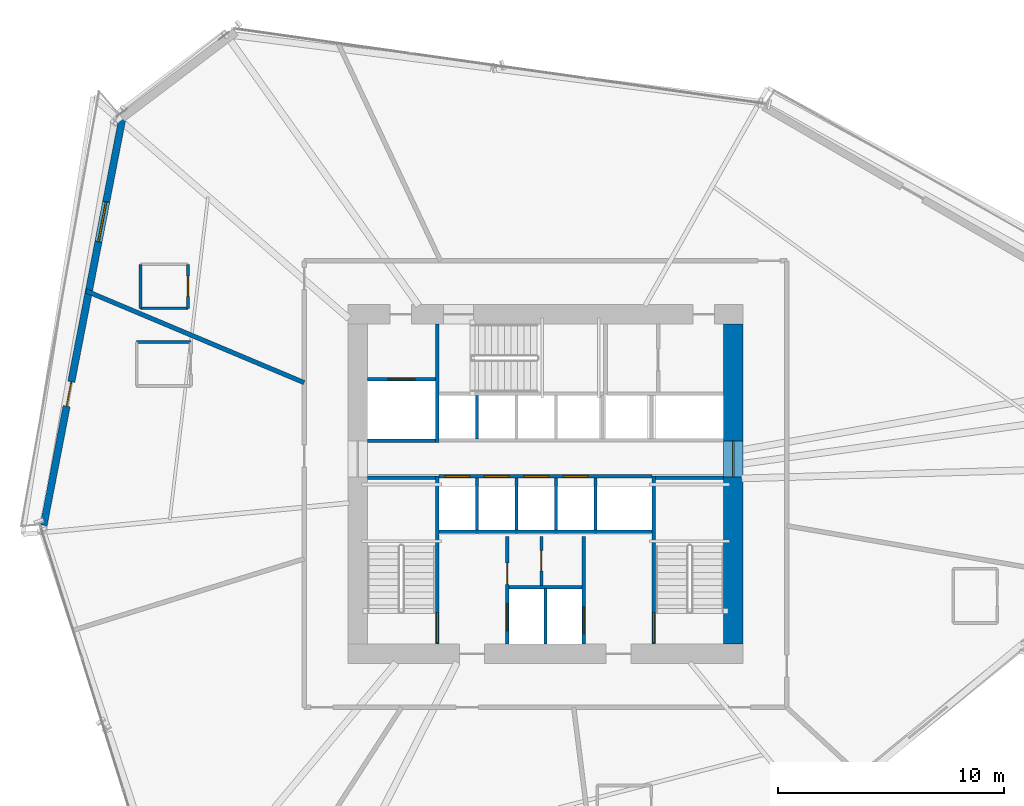
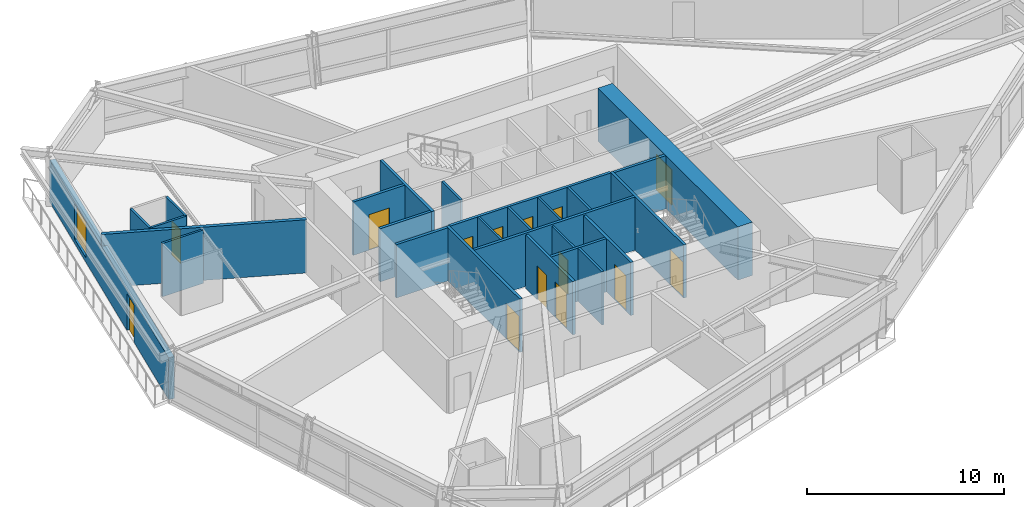
# One storey, part 16 of 21: 26 walls, 14 doors, 1 window, 15 openings.
"""IFC4 building model written with IfcOpenShell, lengths in metres."""

from ifc_helpers import new_model, si_unit, direction, frame, frame_2d, origin, place, context, subcontext, project, spatial, rectangle, extrude, source, transform, mapped, material, layer, layer_set, type_object, type_shapes, element, fill, save


model = new_model("IFC4")

# Units and contexts
model_context = context("Model", 3, precision=1e-05, world=origin(), true_north=direction((0.0, 1.0)))
body_context = subcontext(model_context, "Body", "Model", "MODEL_VIEW")
ifc_project = project(units=[si_unit("LENGTHUNIT", "METRE"), si_unit("AREAUNIT", "SQUARE_METRE"), si_unit("VOLUMEUNIT", "CUBIC_METRE"), si_unit("PLANEANGLEUNIT", "RADIAN"), si_unit("MASSUNIT", "GRAM", prefix="KILO")], contexts=[model_context])

# Site, building, storey
site_placement = place(None, origin())
site = spatial("IfcSite", under=ifc_project, at=site_placement, CompositionType="ELEMENT")
building_placement = place(site_placement, origin())
building = spatial("IfcBuilding", under=site, at=building_placement, Name="Olszyna Solenne Hotel", CompositionType="ELEMENT")
storey_placement = place(building_placement, frame((0.0, 0.0, 54.14990234375)))
storey = spatial("IfcBuildingStorey", under=building, at=storey_placement, Name="L13", CompositionType="ELEMENT", Elevation=54.14990234375)

# Wall, opening, door
ifc_material_1 = material(Name="Concrete C60/75", Category="concrete")
ifc_layer_1 = layer(ifc_material_1, 0.85009765625, Name="Concrete C60/75")
ifc_layer_set_1 = layer_set([ifc_layer_1], Name="Concrete C60/75")
wall_type_1 = type_object("IfcWallType", Name="WL-CR850", PredefinedType="SHEAR", material=ifc_layer_set_1)
wall_1_placement = place(storey_placement, frame((46.324951171875, 33.699951171875, 0.0), z_axis=(0.0, 0.0, 1.0), x_axis=(0.0, -1.0, 0.0)))
wall_1 = element("IfcWall", 1, at=wall_1_placement, inside=storey, type_object=wall_type_1, Name="Core shear wall WL-CR850 CRW-L13-E", PredefinedType="SHEAR", context=body_context, shape_type="SweptSolid", body=[
    extrude(rectangle(XDim=14.199951171875, YDim=0.85009765625, at=frame_2d((7.10009765625, 0.0))), origin(), (0.0, 0.0, 1.0), 3.300048828125),
])
opening_1_placement = place(wall_1_placement, frame((5.179931640625, 0.0, 0.0)))
opening_1 = element("IfcOpeningElement", 2, at=opening_1_placement, cuts=wall_1, Name="Opening LHD-L13-E", PredefinedType="OPENING", context=body_context, shape_type="SweptSolid", body=[
    extrude(rectangle(XDim=1.60009765625, YDim=2.199951171875, at=frame_2d((0.800048828125, 1.10009765625))), frame((0.0, 0.43505859375, 0.0), z_axis=(0.0, -1.0, 0.0), x_axis=(1.0, 0.0, 0.0)), (0.0, 0.0, 1.0), 0.8701171875),
])
ifc_material_2 = material(Name="Timber hardwood", Category="wood")
door_type_1 = type_object("IfcDoorType", Name="DR-CR1", OperationType="DOUBLE_DOOR_SINGLE_SWING", PredefinedType="DOOR", material=ifc_material_2)
shared_shape_1 = source(origin(), body_context, "Body", "SweptSolid", [
    extrude(rectangle(XDim=1.60009765625, YDim=2.199951171875, at=frame_2d((0.800048828125, 1.10009765625))), frame((0.0, 0.02490234375, 0.0), z_axis=(0.0, -1.0, 0.0), x_axis=(1.0, 0.0, 0.0)), (0.0, 0.0, 1.0), 0.050048828125),
])
type_shapes(door_type_1, [shared_shape_1])
door_1_placement = place(opening_1_placement, origin())
door_1 = element("IfcDoor", 3, at=door_1_placement, inside=storey, type_object=door_type_1, Name="Passenger lift lobby East fire door LHD-L13-E", OperationType="DOUBLE_DOOR_SINGLE_SWING", OverallHeight=2.199951171875, OverallWidth=1.60009765625, PredefinedType="DOOR", context=body_context, shape_type="MappedRepresentation", body=[
    mapped(shared_shape_1, transform((0.0, 0.0, 0.0), x_axis=(1.0, 0.0, 0.0), y_axis=(0.0, 1.0, 0.0), z_axis=(0.0, 0.0, 1.0), scale=1.0)),
])
fill(opening_1, door_1)

# Wall, openings, door, window
ifc_material_3 = material(Name="Precast concrete C45/55", Category="concrete")
ifc_layer_2 = layer(ifc_material_3, 0.320068359375, Name="Precast concrete C45/55")
ifc_layer_set_2 = layer_set([ifc_layer_2], Name="Precast concrete C45/55")
wall_type_2 = type_object("IfcWallType", Name="WL-EX320", PredefinedType="SOLIDWALL", material=ifc_layer_set_2)
wall_2_placement = place(storey_placement, frame((15.74951171875, 24.773193359375, 0.0), z_axis=(0.0, 0.0, 1.0), x_axis=(0.19010756161, 0.981763268318, 0.0)))
wall_2 = element("IfcWall", 4, at=wall_2_placement, inside=storey, type_object=wall_type_2, Name="Exterior terracotta-precast frame wall WL-EX320 EW-L13-04", PredefinedType="SOLIDWALL", context=body_context, shape_type="SweptSolid", body=[
    extrude(rectangle(XDim=18.5224609375, YDim=0.320068359375, at=frame_2d((9.26123046875, 0.0))), origin(), (0.0, 0.0, 1.0), 2.592041015625),
])
opening_2_placement = place(wall_2_placement, frame((5.376953125, 0.0, 0.0)))
opening_2 = element("IfcOpeningElement", 5, at=opening_2_placement, cuts=wall_2, Name="Opening LDG-L13-2", PredefinedType="OPENING", context=body_context, shape_type="SweptSolid", body=[
    extrude(rectangle(XDim=1.10009765625, YDim=2.300048828125, at=frame_2d((0.550048828125, 1.14990234375))), frame((0.0, 0.169921875, 0.0), z_axis=(0.0, -1.0, 0.0), x_axis=(1.0, 0.0, 0.0)), (0.0, 0.0, 1.0), 0.340087890625),
])
opening_3_placement = place(wall_2_placement, frame((12.806884765625, 0.0, 0.27197265625)))
opening_3 = element("IfcOpeningElement", 6, at=opening_3_placement, cuts=wall_2, Name="Opening WN-L13-058", PredefinedType="OPENING", context=body_context, shape_type="SweptSolid", body=[
    extrude(rectangle(XDim=1.800048828125, YDim=2.199951171875, at=frame_2d((0.89990234375, 1.10009765625))), frame((0.0, 0.169921875, 0.0), z_axis=(0.0, -1.0, 0.0), x_axis=(1.0, 0.0, 0.0)), (0.0, 0.0, 1.0), 0.340087890625),
])
ifc_material_4 = material(Name="Anodised bronze aluminium", Category="aluminium")
door_type_2 = type_object("IfcDoorType", Name="DR-LG1", OperationType="NOTDEFINED", PredefinedType="DOOR", material=ifc_material_4)
shared_shape_2 = source(origin(), body_context, "Body", "SweptSolid", [
    extrude(rectangle(XDim=1.10009765625, YDim=2.300048828125, at=frame_2d((0.550048828125, 1.14990234375))), frame((0.0, 0.02490234375, 0.0), z_axis=(0.0, -1.0, 0.0), x_axis=(1.0, 0.0, 0.0)), (0.0, 0.0, 1.0), 0.050048828125),
])
type_shapes(door_type_2, [shared_shape_2])
door_2_placement = place(opening_2_placement, origin())
door_2 = element("IfcDoor", 7, at=door_2_placement, inside=storey, type_object=door_type_2, Name="Exterior loggia balcony door DR-LG1 LDG-L13-2", OperationType="SINGLE_SWING_RIGHT", OverallHeight=2.300048828125, OverallWidth=1.10009765625, PredefinedType="DOOR", context=body_context, shape_type="MappedRepresentation", body=[
    mapped(shared_shape_2, transform((0.0, 0.0, 0.0), x_axis=(1.0, 0.0, 0.0), y_axis=(0.0, 1.0, 0.0), z_axis=(0.0, 0.0, 1.0), scale=1.0)),
])
fill(opening_2, door_2)
ifc_material_5 = material(Name="Low-E triple glazing", Category="glass")
window_type = type_object("IfcWindowType", Name="WN-HT1", PartitioningType="SINGLE_PANEL", PredefinedType="WINDOW", material=ifc_material_5)
shared_shape_3 = source(origin(), body_context, "Body", "SweptSolid", [
    extrude(rectangle(XDim=1.800048828125, YDim=2.199951171875, at=frame_2d((0.89990234375, 1.10009765625))), frame((0.0, 0.030029296875, 0.0), z_axis=(0.0, -1.0, 0.0), x_axis=(1.0, 0.0, 0.0)), (0.0, 0.0, 1.0), 0.06005859375),
])
type_shapes(window_type, [shared_shape_3])
window_placement = place(opening_3_placement, origin())
window = element("IfcWindow", 8, at=window_placement, inside=storey, type_object=window_type, Name="Loggia room window WN-HT1 WN-L13-058", OverallHeight=2.199951171875, OverallWidth=1.800048828125, PartitioningType="SINGLE_PANEL", PredefinedType="WINDOW", context=body_context, shape_type="MappedRepresentation", body=[
    mapped(shared_shape_3, transform((0.0, 0.0, 0.0), x_axis=(1.0, 0.0, 0.0), y_axis=(0.0, 1.0, 0.0), z_axis=(0.0, 0.0, 1.0), scale=1.0)),
])
fill(opening_3, window)

# Wall
ifc_material_6 = material(Name="Acoustic gypsum partition", Category="gypsum")
ifc_layer_3 = layer(ifc_material_6, 0.125, Name="Acoustic gypsum partition")
ifc_layer_set_3 = layer_set([ifc_layer_3], Name="Acoustic gypsum partition")
wall_type_3 = type_object("IfcWallType", Name="WL-PT125", PredefinedType="PARTITIONING", material=ifc_layer_set_3)
wall_3_placement = place(storey_placement, frame((38.0, 19.5, 0.0), z_axis=(0.0, 0.0, 1.0), x_axis=(0.0, 1.0, 0.0)))
element("IfcWall", 9, at=wall_3_placement, inside=storey, type_object=wall_type_3, Name="Core shaft compartment wall CW-L13-FFM", PredefinedType="PARTITIONING", context=body_context, shape_type="SweptSolid", body=[
    extrude(rectangle(XDim=2.4599609375, YDim=0.125, at=frame_2d((1.22998046875, 0.0))), origin(), (0.0, 0.0, 1.0), 3.300048828125),
])

# Wall, opening, door
wall_4_placement = place(storey_placement, frame((37.820068359375, 22.10009765625, 0.0), z_axis=(0.0, 0.0, 1.0), x_axis=(0.0, 1.0, 0.0)))
wall_4 = element("IfcWall", 10, at=wall_4_placement, inside=storey, type_object=wall_type_3, Name="Core shaft compartment wall CW-L13-SC1", PredefinedType="PARTITIONING", context=body_context, shape_type="SweptSolid", body=[
    extrude(rectangle(XDim=2.179931640625, YDim=0.125, at=frame_2d((1.08984375, 0.0))), origin(), (0.0, 0.0, 1.0), 3.300048828125),
])
opening_4_placement = place(wall_4_placement, frame((0.64990234375, 0.0, 0.0)))
opening_4 = element("IfcOpeningElement", 11, at=opening_4_placement, cuts=wall_4, Name="Opening SVD-L13-SC1", PredefinedType="OPENING", context=body_context, shape_type="SweptSolid", body=[
    extrude(rectangle(XDim=0.89990234375, YDim=2.10009765625, at=frame_2d((0.449951171875, 1.050048828125))), frame((0.0, 0.072509765625, 0.0), z_axis=(0.0, -1.0, 0.0), x_axis=(1.0, 0.0, 0.0)), (0.0, 0.0, 1.0), 0.14501953125),
])
door_type_3 = type_object("IfcDoorType", Name="DR-WC1", OperationType="NOTDEFINED", PredefinedType="DOOR", material=ifc_material_2)
shared_shape_4 = source(origin(), body_context, "Body", "SweptSolid", [
    extrude(rectangle(XDim=0.89990234375, YDim=2.10009765625, at=frame_2d((0.449951171875, 1.050048828125))), frame((0.0, 0.02490234375, 0.0), z_axis=(0.0, -1.0, 0.0), x_axis=(1.0, 0.0, 0.0)), (0.0, 0.0, 1.0), 0.050048828125),
])
type_shapes(door_type_3, [shared_shape_4])
door_3_placement = place(opening_4_placement, origin())
door_3 = element("IfcDoor", 12, at=door_3_placement, inside=storey, type_object=door_type_3, Name="Pantry locker door SVD-L13-SC1", OperationType="SINGLE_SWING_LEFT", OverallHeight=2.10009765625, OverallWidth=0.89990234375, PredefinedType="DOOR", context=body_context, shape_type="MappedRepresentation", body=[
    mapped(shared_shape_4, transform((0.0, 0.0, 0.0), x_axis=(1.0, 0.0, 0.0), y_axis=(0.0, 1.0, 0.0), z_axis=(0.0, 0.0, 1.0), scale=1.0)),
])
fill(opening_4, door_3)

# Walls
for number, where, z_axis, x_axis, name in (
    (13, (34.965087890625, 24.56005859375, 0.0), (0.0, 0.0, 1.0), (0.0, 1.0, 0.0), "Core shaft compartment wall CW-L13-DIVS349"),
    (14, (36.715087890625, 24.56005859375, 0.0), (0.0, 0.0, 1.0), (0.0, 1.0, 0.0), "Core shaft compartment wall CW-L13-DIVS367"),
    (15, (38.465087890625, 24.56005859375, 0.0), (0.0, 0.0, 1.0), (0.0, 1.0, 0.0), "Core shaft compartment wall CW-L13-DIVS384"),
    (16, (40.215087890625, 24.56005859375, 0.0), (0.0, 0.0, 1.0), (0.0, 1.0, 0.0), "Core shaft compartment wall CW-L13-DIVS402"),
):
    element("IfcWall", number, at=place(storey_placement, frame(where, z_axis=z_axis, x_axis=x_axis)), inside=storey, type_object=wall_type_3, Name=name, PredefinedType="PARTITIONING", context=body_context, shape_type="SweptSolid", body=[
        extrude(rectangle(XDim=2.31005859375, YDim=0.125, at=frame_2d((1.155029296875, 0.0))), origin(), (0.0, 0.0, 1.0), 3.300048828125),
    ])
wall_5_placement = place(storey_placement, frame((34.965087890625, 28.60009765625, 0.0), z_axis=(0.0, 0.0, 1.0), x_axis=(0.0, 1.0, 0.0)))
element("IfcWall", 17, at=wall_5_placement, inside=storey, type_object=wall_type_3, Name="Core shaft compartment wall CW-L13-DIVN349", PredefinedType="PARTITIONING", context=body_context, shape_type="SweptSolid", body=[
    extrude(rectangle(XDim=1.919921875, YDim=0.125, at=frame_2d((0.9599609375, 0.0))), origin(), (0.0, 0.0, 1.0), 3.300048828125),
])

# Wall, opening, door
wall_6_placement = place(storey_placement, frame((22.153076171875, 34.39306640625, 0.0), z_axis=(0.0, 0.0, 1.0), x_axis=(0.0, 1.0, 0.0)))
wall_6 = element("IfcWall", 18, at=wall_6_placement, inside=storey, type_object=wall_type_3, Name="Interior acoustic partition WL-PT125 PW-L13-0716", PredefinedType="PARTITIONING", context=body_context, shape_type="SweptSolid", body=[
    extrude(rectangle(XDim=1.949951171875, YDim=0.125, at=frame_2d((0.97509765625, 0.0))), origin(), (0.0, 0.0, 1.0), 3.300048828125),
])
opening_5_placement = place(wall_6_placement, frame((0.52490234375, 0.0, 0.0)))
opening_5 = element("IfcOpeningElement", 19, at=opening_5_placement, cuts=wall_6, Name="Opening DR-L13-0156", PredefinedType="OPENING", context=body_context, shape_type="SweptSolid", body=[
    extrude(rectangle(XDim=0.89990234375, YDim=2.10009765625, at=frame_2d((0.449951171875, 1.050048828125))), frame((0.0, 0.072509765625, 0.0), z_axis=(0.0, -1.0, 0.0), x_axis=(1.0, 0.0, 0.0)), (0.0, 0.0, 1.0), 0.14501953125),
])
door_4_placement = place(opening_5_placement, origin())
door_4 = element("IfcDoor", 20, at=door_4_placement, inside=storey, type_object=door_type_3, Name="En-Suite Bathroom Door DR-L13-0156", OperationType="SINGLE_SWING_RIGHT", OverallHeight=2.10009765625, OverallWidth=0.89990234375, PredefinedType="DOOR", context=body_context, shape_type="MappedRepresentation", body=[
    mapped(shared_shape_4, transform((0.0, 0.0, 0.0), x_axis=(1.0, 0.0, 0.0), y_axis=(0.0, 1.0, 0.0), z_axis=(0.0, 0.0, 1.0), scale=1.0)),
])
fill(opening_5, door_4)

# Walls
wall_7_placement = place(storey_placement, frame((20.052978515625, 36.343017578125, 0.0), z_axis=(0.0, 0.0, 1.0), x_axis=(0.0, -1.0, 0.0)))
element("IfcWall", 21, at=wall_7_placement, inside=storey, type_object=wall_type_3, Name="Interior acoustic partition WL-PT125 PW-L13-0718", PredefinedType="PARTITIONING", context=body_context, shape_type="SweptSolid", body=[
    extrude(rectangle(XDim=1.949951171875, YDim=0.125, at=frame_2d((0.97509765625, 0.0))), origin(), (0.0, 0.0, 1.0), 3.300048828125),
])
wall_8_placement = place(storey_placement, frame((20.052978515625, 34.39306640625, 0.0), z_axis=(0.0, 0.0, 1.0), x_axis=(1.0, 0.0, 0.0)))
element("IfcWall", 22, at=wall_8_placement, inside=storey, type_object=wall_type_3, Name="Interior acoustic partition WL-PT125 PW-L13-0719", PredefinedType="PARTITIONING", context=body_context, shape_type="SweptSolid", body=[
    extrude(rectangle(XDim=2.10009765625, YDim=0.125, at=frame_2d((1.050048828125, 0.0))), origin(), (0.0, 0.0, 1.0), 3.300048828125),
])
wall_9_placement = place(storey_placement, frame((22.279052734375, 32.89501953125, 0.0), z_axis=(0.0, 0.0, 1.0), x_axis=(-1.0, 0.0, 0.0)))
element("IfcWall", 23, at=wall_9_placement, inside=storey, type_object=wall_type_3, Name="Interior acoustic partition WL-PT125 PW-L13-0721", PredefinedType="PARTITIONING", context=body_context, shape_type="SweptSolid", body=[
    extrude(rectangle(XDim=2.400146484375, YDim=0.125, at=frame_2d((1.2001953125, 0.0))), origin(), (0.0, 0.0, 1.0), 3.300048828125),
])

# Wall, opening, door
ifc_layer_4 = layer(ifc_material_6, 0.159912109375, Name="Acoustic gypsum partition")
ifc_layer_set_4 = layer_set([ifc_layer_4], Name="Acoustic gypsum partition")
wall_type_4 = type_object("IfcWallType", Name="WL-PT160", PredefinedType="PARTITIONING", material=ifc_layer_set_4)
wall_10_placement = place(storey_placement, frame((33.199951171875, 19.5, 0.0), z_axis=(0.0, 0.0, 1.0), x_axis=(0.0, 1.0, 0.0)))
wall_10 = element("IfcWall", 24, at=wall_10_placement, inside=storey, type_object=wall_type_4, Name="Core shaft compartment wall CW-L13-ST1E", PredefinedType="PARTITIONING", context=body_context, shape_type="SweptSolid", body=[
    extrude(rectangle(XDim=7.4599609375, YDim=0.159912109375, at=frame_2d((3.72998046875, 0.0))), origin(), (0.0, 0.0, 1.0), 3.300048828125),
])
opening_6_placement = place(wall_10_placement, frame((0.080078125, 0.0, 0.0)))
opening_6 = element("IfcOpeningElement", 25, at=opening_6_placement, cuts=wall_10, Name="Opening STD-L13-01", PredefinedType="OPENING", context=body_context, shape_type="SweptSolid", body=[
    extrude(rectangle(XDim=1.320068359375, YDim=2.199951171875, at=frame_2d((0.66015625, 1.10009765625))), frame((0.0, 0.08984375, 0.0), z_axis=(0.0, -1.0, 0.0), x_axis=(1.0, 0.0, 0.0)), (0.0, 0.0, 1.0), 0.179931640625),
])
ifc_material_7 = material(Name="Steel S355J2", Category="steel")
door_type_4 = type_object("IfcDoorType", Name="DR-ST1", OperationType="NOTDEFINED", PredefinedType="DOOR", material=ifc_material_7)
shared_shape_5 = source(origin(), body_context, "Body", "SweptSolid", [
    extrude(rectangle(XDim=1.320068359375, YDim=2.199951171875, at=frame_2d((0.66015625, 1.10009765625))), frame((0.0, 0.02490234375, 0.0), z_axis=(0.0, -1.0, 0.0), x_axis=(1.0, 0.0, 0.0)), (0.0, 0.0, 1.0), 0.050048828125),
])
type_shapes(door_type_4, [shared_shape_5])
door_5_placement = place(opening_6_placement, origin())
door_5 = element("IfcDoor", 26, at=door_5_placement, inside=storey, type_object=door_type_4, Name="Pressurised exit stair ST1 fire door STD-L13-01", OperationType="SINGLE_SWING_LEFT", OverallHeight=2.199951171875, OverallWidth=1.320068359375, PredefinedType="DOOR", context=body_context, shape_type="MappedRepresentation", body=[
    mapped(shared_shape_5, transform((0.0, 0.0, 0.0), x_axis=(1.0, 0.0, 0.0), y_axis=(0.0, 1.0, 0.0), z_axis=(0.0, 0.0, 1.0), scale=1.0)),
])
fill(opening_6, door_5)

# Wall
wall_11_placement = place(storey_placement, frame((30.10009765625, 26.8798828125, 0.0), z_axis=(0.0, 0.0, 1.0), x_axis=(1.0, 0.0, 0.0)))
element("IfcWall", 27, at=wall_11_placement, inside=storey, type_object=wall_type_4, Name="Core shaft compartment wall CW-L13-ST1N", PredefinedType="PARTITIONING", context=body_context, shape_type="SweptSolid", body=[
    extrude(rectangle(XDim=3.02001953125, YDim=0.159912109375, at=frame_2d((1.510009765625, 0.0))), origin(), (0.0, 0.0, 1.0), 3.300048828125),
])

# Wall, opening, door
wall_12_placement = place(storey_placement, frame((42.800048828125, 26.9599609375, 0.0), z_axis=(0.0, 0.0, 1.0), x_axis=(0.0, -1.0, 0.0)))
wall_12 = element("IfcWall", 28, at=wall_12_placement, inside=storey, type_object=wall_type_4, Name="Core shaft compartment wall CW-L13-ST2W", PredefinedType="PARTITIONING", context=body_context, shape_type="SweptSolid", body=[
    extrude(rectangle(XDim=7.4599609375, YDim=0.159912109375, at=frame_2d((3.72998046875, 0.0))), origin(), (0.0, 0.0, 1.0), 3.300048828125),
])
opening_7_placement = place(wall_12_placement, frame((6.06005859375, 0.0, 0.0)))
opening_7 = element("IfcOpeningElement", 29, at=opening_7_placement, cuts=wall_12, Name="Opening STD-L13-02", PredefinedType="OPENING", context=body_context, shape_type="SweptSolid", body=[
    extrude(rectangle(XDim=1.320068359375, YDim=2.199951171875, at=frame_2d((0.66015625, 1.10009765625))), frame((0.0, 0.08984375, 0.0), z_axis=(0.0, -1.0, 0.0), x_axis=(1.0, 0.0, 0.0)), (0.0, 0.0, 1.0), 0.179931640625),
])
door_6_placement = place(opening_7_placement, origin())
door_6 = element("IfcDoor", 30, at=door_6_placement, inside=storey, type_object=door_type_4, Name="Pressurised exit stair ST2 fire door STD-L13-02", OperationType="SINGLE_SWING_RIGHT", OverallHeight=2.199951171875, OverallWidth=1.320068359375, PredefinedType="DOOR", context=body_context, shape_type="MappedRepresentation", body=[
    mapped(shared_shape_5, transform((0.0, 0.0, 0.0), x_axis=(1.0, 0.0, 0.0), y_axis=(0.0, 1.0, 0.0), z_axis=(0.0, 0.0, 1.0), scale=1.0)),
])
fill(opening_7, door_6)

# Wall
wall_13_placement = place(storey_placement, frame((42.8798828125, 26.8798828125, 0.0), z_axis=(0.0, 0.0, 1.0), x_axis=(1.0, 0.0, 0.0)))
element("IfcWall", 31, at=wall_13_placement, inside=storey, type_object=wall_type_4, Name="Core shaft compartment wall CW-L13-ST2N", PredefinedType="PARTITIONING", context=body_context, shape_type="SweptSolid", body=[
    extrude(rectangle(XDim=3.02001953125, YDim=0.159912109375, at=frame_2d((1.510009765625, 0.0))), origin(), (0.0, 0.0, 1.0), 3.300048828125),
])

# Wall, openings, doors
wall_14_placement = place(storey_placement, frame((36.300048828125, 19.5, 0.0), z_axis=(0.0, 0.0, 1.0), x_axis=(0.0, 1.0, 0.0)))
wall_14 = element("IfcWall", 32, at=wall_14_placement, inside=storey, type_object=wall_type_4, Name="Core shaft compartment wall CW-L13-FF1W", PredefinedType="PARTITIONING", context=body_context, shape_type="SweptSolid", body=[
    extrude(rectangle(XDim=4.780029296875, YDim=0.159912109375, at=frame_2d((2.39013671875, 0.0))), origin(), (0.0, 0.0, 1.0), 3.300048828125),
])
opening_8_placement = place(wall_14_placement, frame((0.60009765625, 0.0, 0.0)))
opening_8 = element("IfcOpeningElement", 33, at=opening_8_placement, cuts=wall_14, Name="Opening LD-L13-FF1", PredefinedType="OPENING", context=body_context, shape_type="SweptSolid", body=[
    extrude(rectangle(XDim=1.199951171875, YDim=2.199951171875, at=frame_2d((0.60009765625, 1.10009765625))), frame((0.0, 0.08984375, 0.0), z_axis=(0.0, -1.0, 0.0), x_axis=(1.0, 0.0, 0.0)), (0.0, 0.0, 1.0), 0.179931640625),
])
opening_9_placement = place(wall_14_placement, frame((2.64990234375, 0.0, 0.0)))
opening_9 = element("IfcOpeningElement", 34, at=opening_9_placement, cuts=wall_14, Name="Opening SVD-L13-SMK", PredefinedType="OPENING", context=body_context, shape_type="SweptSolid", body=[
    extrude(rectangle(XDim=0.949951171875, YDim=2.10009765625, at=frame_2d((0.47509765625, 1.050048828125))), frame((0.0, 0.08984375, 0.0), z_axis=(0.0, -1.0, 0.0), x_axis=(1.0, 0.0, 0.0)), (0.0, 0.0, 1.0), 0.179931640625),
])
door_type_5 = type_object("IfcDoorType", Name="DR-SV1", OperationType="NOTDEFINED", PredefinedType="DOOR", material=ifc_material_7)
shared_shape_6 = source(origin(), body_context, "Body", "SweptSolid", [
    extrude(rectangle(XDim=0.949951171875, YDim=2.10009765625, at=frame_2d((0.47509765625, 1.050048828125))), frame((0.0, 0.02490234375, 0.0), z_axis=(0.0, -1.0, 0.0), x_axis=(1.0, 0.0, 0.0)), (0.0, 0.0, 1.0), 0.050048828125),
])
type_shapes(door_type_5, [shared_shape_6])
door_7_placement = place(opening_9_placement, origin())
door_7 = element("IfcDoor", 35, at=door_7_placement, inside=storey, type_object=door_type_5, Name="Valet and core service room door SVD-L13-SMK", OperationType="SINGLE_SWING_LEFT", OverallHeight=2.10009765625, OverallWidth=0.949951171875, PredefinedType="DOOR", context=body_context, shape_type="MappedRepresentation", body=[
    mapped(shared_shape_6, transform((0.0, 0.0, 0.0), x_axis=(1.0, 0.0, 0.0), y_axis=(0.0, 1.0, 0.0), z_axis=(0.0, 0.0, 1.0), scale=1.0)),
])
fill(opening_9, door_7)
door_type_6 = type_object("IfcDoorType", Name="LD-FF1", OperationType="DOUBLE_DOOR_SLIDING", PredefinedType="DOOR", material=ifc_material_7)
shared_shape_7 = source(origin(), body_context, "Body", "SweptSolid", [
    extrude(rectangle(XDim=1.199951171875, YDim=2.199951171875, at=frame_2d((0.60009765625, 1.10009765625))), frame((0.0, 0.02490234375, 0.0), z_axis=(0.0, -1.0, 0.0), x_axis=(1.0, 0.0, 0.0)), (0.0, 0.0, 1.0), 0.050048828125),
])
type_shapes(door_type_6, [shared_shape_7])
door_8_placement = place(opening_8_placement, origin())
door_8 = element("IfcDoor", 36, at=door_8_placement, inside=storey, type_object=door_type_6, Name="Firefighters lift FF1 sliding landing door LD-L13-FF1", OperationType="DOUBLE_DOOR_SLIDING", OverallHeight=2.199951171875, OverallWidth=1.199951171875, PredefinedType="DOOR", context=body_context, shape_type="MappedRepresentation", body=[
    mapped(shared_shape_7, transform((0.0, 0.0, 0.0), x_axis=(1.0, 0.0, 0.0), y_axis=(0.0, 1.0, 0.0), z_axis=(0.0, 0.0, 1.0), scale=1.0)),
])
fill(opening_8, door_8)

# Wall, opening, door
wall_15_placement = place(storey_placement, frame((39.699951171875, 24.280029296875, 0.0), z_axis=(0.0, 0.0, 1.0), x_axis=(0.0, -1.0, 0.0)))
wall_15 = element("IfcWall", 37, at=wall_15_placement, inside=storey, type_object=wall_type_4, Name="Core shaft compartment wall CW-L13-FF2E", PredefinedType="PARTITIONING", context=body_context, shape_type="SweptSolid", body=[
    extrude(rectangle(XDim=4.780029296875, YDim=0.159912109375, at=frame_2d((2.39013671875, 0.0))), origin(), (0.0, 0.0, 1.0), 3.300048828125),
])
opening_10_placement = place(wall_15_placement, frame((3.1201171875, 0.0, 0.0)))
opening_10 = element("IfcOpeningElement", 38, at=opening_10_placement, cuts=wall_15, Name="Opening LD-L13-FF2", PredefinedType="OPENING", context=body_context, shape_type="SweptSolid", body=[
    extrude(rectangle(XDim=1.199951171875, YDim=2.199951171875, at=frame_2d((0.60009765625, 1.10009765625))), frame((0.0, 0.08984375, 0.0), z_axis=(0.0, -1.0, 0.0), x_axis=(1.0, 0.0, 0.0)), (0.0, 0.0, 1.0), 0.179931640625),
])
door_9_placement = place(opening_10_placement, origin())
door_9 = element("IfcDoor", 39, at=door_9_placement, inside=storey, type_object=door_type_6, Name="Firefighters lift FF2 sliding landing door LD-L13-FF2", OperationType="DOUBLE_DOOR_SLIDING", OverallHeight=2.199951171875, OverallWidth=1.199951171875, PredefinedType="DOOR", context=body_context, shape_type="MappedRepresentation", body=[
    mapped(shared_shape_7, transform((0.0, 0.0, 0.0), x_axis=(1.0, 0.0, 0.0), y_axis=(0.0, 1.0, 0.0), z_axis=(0.0, 0.0, 1.0), scale=1.0)),
])
fill(opening_10, door_9)

# Walls
wall_16_placement = place(storey_placement, frame((36.3798828125, 22.02001953125, 0.0), z_axis=(0.0, 0.0, 1.0), x_axis=(1.0, 0.0, 0.0)))
element("IfcWall", 40, at=wall_16_placement, inside=storey, type_object=wall_type_4, Name="Core shaft compartment wall CW-L13-FFN", PredefinedType="PARTITIONING", context=body_context, shape_type="SweptSolid", body=[
    extrude(rectangle(XDim=3.240234375, YDim=0.159912109375, at=frame_2d((1.6201171875, 0.0))), origin(), (0.0, 0.0, 1.0), 3.300048828125),
])
wall_17_placement = place(storey_placement, frame((33.280029296875, 24.489990234375, 0.0), z_axis=(0.0, 0.0, 1.0), x_axis=(1.0, 0.0, 0.0)))
element("IfcWall", 41, at=wall_17_placement, inside=storey, type_object=wall_type_4, Name="Core shaft compartment wall CW-L13-FFBN", PredefinedType="PARTITIONING", context=body_context, shape_type="SweptSolid", body=[
    extrude(rectangle(XDim=9.43994140625, YDim=0.159912109375, at=frame_2d((4.719970703125, 0.0))), origin(), (0.0, 0.0, 1.0), 3.300048828125),
])
wall_18_placement = place(storey_placement, frame((30.10009765625, 28.52001953125, 0.0), z_axis=(0.0, 0.0, 1.0), x_axis=(1.0, 0.0, 0.0)))
element("IfcWall", 42, at=wall_18_placement, inside=storey, type_object=wall_type_4, Name="Core shaft compartment wall CW-L13-SV1S", PredefinedType="PARTITIONING", context=body_context, shape_type="SweptSolid", body=[
    extrude(rectangle(XDim=3.02001953125, YDim=0.159912109375, at=frame_2d((1.510009765625, 0.0))), origin(), (0.0, 0.0, 1.0), 3.300048828125),
])
wall_19_placement = place(storey_placement, frame((33.199951171875, 28.43994140625, 0.0), z_axis=(0.0, 0.0, 1.0), x_axis=(0.0, 1.0, 0.0)))
element("IfcWall", 43, at=wall_19_placement, inside=storey, type_object=wall_type_4, Name="Core shaft compartment wall CW-L13-SV1E", PredefinedType="PARTITIONING", context=body_context, shape_type="SweptSolid", body=[
    extrude(rectangle(XDim=5.260009765625, YDim=0.159912109375, at=frame_2d((2.6298828125, 0.0))), origin(), (0.0, 0.0, 1.0), 3.300048828125),
])

# Wall, opening, door
wall_20_placement = place(storey_placement, frame((30.10009765625, 31.239990234375, 0.0), z_axis=(0.0, 0.0, 1.0), x_axis=(1.0, 0.0, 0.0)))
wall_20 = element("IfcWall", 44, at=wall_20_placement, inside=storey, type_object=wall_type_4, Name="Core shaft compartment wall CW-L13-SV1N", PredefinedType="PARTITIONING", context=body_context, shape_type="SweptSolid", body=[
    extrude(rectangle(XDim=3.02001953125, YDim=0.159912109375, at=frame_2d((1.510009765625, 0.0))), origin(), (0.0, 0.0, 1.0), 3.300048828125),
])
opening_11_placement = place(wall_20_placement, frame((0.909912109375, 0.0, 0.0)))
opening_11 = element("IfcOpeningElement", 45, at=opening_11_placement, cuts=wall_20, Name="Opening LD-L13-SV1", PredefinedType="OPENING", context=body_context, shape_type="SweptSolid", body=[
    extrude(rectangle(XDim=1.199951171875, YDim=2.199951171875, at=frame_2d((0.60009765625, 1.10009765625))), frame((0.0, 0.08984375, 0.0), z_axis=(0.0, -1.0, 0.0), x_axis=(1.0, 0.0, 0.0)), (0.0, 0.0, 1.0), 0.179931640625),
])
door_10_placement = place(opening_11_placement, origin())
door_10 = element("IfcDoor", 46, at=door_10_placement, inside=storey, type_object=door_type_6, Name="Service lift SV1 sliding landing door LD-L13-SV1", OperationType="DOUBLE_DOOR_SLIDING", OverallHeight=2.199951171875, OverallWidth=1.199951171875, PredefinedType="DOOR", context=body_context, shape_type="MappedRepresentation", body=[
    mapped(shared_shape_7, transform((0.0, 0.0, 0.0), x_axis=(1.0, 0.0, 0.0), y_axis=(0.0, 1.0, 0.0), z_axis=(0.0, 0.0, 1.0), scale=1.0)),
])
fill(opening_11, door_10)

# Wall, openings, doors
wall_21_placement = place(storey_placement, frame((33.280029296875, 26.949951171875, 0.0), z_axis=(0.0, 0.0, 1.0), x_axis=(1.0, 0.0, 0.0)))
wall_21 = element("IfcWall", 47, at=wall_21_placement, inside=storey, type_object=wall_type_4, Name="Core shaft compartment wall CW-L13-LRS", PredefinedType="PARTITIONING", context=body_context, shape_type="SweptSolid", body=[
    extrude(rectangle(XDim=9.43994140625, YDim=0.159912109375, at=frame_2d((4.719970703125, 0.0))), origin(), (0.0, 0.0, 1.0), 3.300048828125),
])
opening_12_placement = place(wall_21_placement, frame((0.260009765625, 0.0, 0.0)))
opening_12 = element("IfcOpeningElement", 48, at=opening_12_placement, cuts=wall_21, Name="Opening LD-L13-PL1", PredefinedType="OPENING", context=body_context, shape_type="SweptSolid", body=[
    extrude(rectangle(XDim=1.10009765625, YDim=2.199951171875, at=frame_2d((0.550048828125, 1.10009765625))), frame((0.0, 0.08984375, 0.0), z_axis=(0.0, -1.0, 0.0), x_axis=(1.0, 0.0, 0.0)), (0.0, 0.0, 1.0), 0.179931640625),
])
opening_13_placement = place(wall_21_placement, frame((2.010009765625, 0.0, 0.0)))
opening_13 = element("IfcOpeningElement", 49, at=opening_13_placement, cuts=wall_21, Name="Opening LD-L13-PL2", PredefinedType="OPENING", context=body_context, shape_type="SweptSolid", body=[
    extrude(rectangle(XDim=1.10009765625, YDim=2.199951171875, at=frame_2d((0.550048828125, 1.10009765625))), frame((0.0, 0.08984375, 0.0), z_axis=(0.0, -1.0, 0.0), x_axis=(1.0, 0.0, 0.0)), (0.0, 0.0, 1.0), 0.179931640625),
])
opening_14_placement = place(wall_21_placement, frame((3.760009765625, 0.0, 0.0)))
opening_14 = element("IfcOpeningElement", 50, at=opening_14_placement, cuts=wall_21, Name="Opening LD-L13-PL3", PredefinedType="OPENING", context=body_context, shape_type="SweptSolid", body=[
    extrude(rectangle(XDim=1.10009765625, YDim=2.199951171875, at=frame_2d((0.550048828125, 1.10009765625))), frame((0.0, 0.08984375, 0.0), z_axis=(0.0, -1.0, 0.0), x_axis=(1.0, 0.0, 0.0)), (0.0, 0.0, 1.0), 0.179931640625),
])
opening_15_placement = place(wall_21_placement, frame((5.510009765625, 0.0, 0.0)))
opening_15 = element("IfcOpeningElement", 51, at=opening_15_placement, cuts=wall_21, Name="Opening LD-L13-PL4", PredefinedType="OPENING", context=body_context, shape_type="SweptSolid", body=[
    extrude(rectangle(XDim=1.10009765625, YDim=2.199951171875, at=frame_2d((0.550048828125, 1.10009765625))), frame((0.0, 0.08984375, 0.0), z_axis=(0.0, -1.0, 0.0), x_axis=(1.0, 0.0, 0.0)), (0.0, 0.0, 1.0), 0.179931640625),
])
door_type_7 = type_object("IfcDoorType", Name="LD-P1", OperationType="DOUBLE_DOOR_SLIDING", PredefinedType="DOOR", material=ifc_material_7)
shared_shape_8 = source(origin(), body_context, "Body", "SweptSolid", [
    extrude(rectangle(XDim=1.10009765625, YDim=2.199951171875, at=frame_2d((0.550048828125, 1.10009765625))), frame((0.0, 0.02490234375, 0.0), z_axis=(0.0, -1.0, 0.0), x_axis=(1.0, 0.0, 0.0)), (0.0, 0.0, 1.0), 0.050048828125),
])
type_shapes(door_type_7, [shared_shape_8])
door_11_placement = place(opening_12_placement, origin())
door_11 = element("IfcDoor", 52, at=door_11_placement, inside=storey, type_object=door_type_7, Name="Passenger lift PL1 sliding landing door LD-L13-PL1", OperationType="DOUBLE_DOOR_SLIDING", OverallHeight=2.199951171875, OverallWidth=1.10009765625, PredefinedType="DOOR", context=body_context, shape_type="MappedRepresentation", body=[
    mapped(shared_shape_8, transform((0.0, 0.0, 0.0), x_axis=(1.0, 0.0, 0.0), y_axis=(0.0, 1.0, 0.0), z_axis=(0.0, 0.0, 1.0), scale=1.0)),
])
fill(opening_12, door_11)
door_12_placement = place(opening_13_placement, origin())
door_12 = element("IfcDoor", 53, at=door_12_placement, inside=storey, type_object=door_type_7, Name="Passenger lift PL2 sliding landing door LD-L13-PL2", OperationType="DOUBLE_DOOR_SLIDING", OverallHeight=2.199951171875, OverallWidth=1.10009765625, PredefinedType="DOOR", context=body_context, shape_type="MappedRepresentation", body=[
    mapped(shared_shape_8, transform((0.0, 0.0, 0.0), x_axis=(1.0, 0.0, 0.0), y_axis=(0.0, 1.0, 0.0), z_axis=(0.0, 0.0, 1.0), scale=1.0)),
])
fill(opening_13, door_12)
door_13_placement = place(opening_14_placement, origin())
door_13 = element("IfcDoor", 54, at=door_13_placement, inside=storey, type_object=door_type_7, Name="Passenger lift PL3 sliding landing door LD-L13-PL3", OperationType="DOUBLE_DOOR_SLIDING", OverallHeight=2.199951171875, OverallWidth=1.10009765625, PredefinedType="DOOR", context=body_context, shape_type="MappedRepresentation", body=[
    mapped(shared_shape_8, transform((0.0, 0.0, 0.0), x_axis=(1.0, 0.0, 0.0), y_axis=(0.0, 1.0, 0.0), z_axis=(0.0, 0.0, 1.0), scale=1.0)),
])
fill(opening_14, door_13)
door_14_placement = place(opening_15_placement, origin())
door_14 = element("IfcDoor", 55, at=door_14_placement, inside=storey, type_object=door_type_7, Name="Passenger lift PL4 sliding landing door LD-L13-PL4", OperationType="DOUBLE_DOOR_SLIDING", OverallHeight=2.199951171875, OverallWidth=1.10009765625, PredefinedType="DOOR", context=body_context, shape_type="MappedRepresentation", body=[
    mapped(shared_shape_8, transform((0.0, 0.0, 0.0), x_axis=(1.0, 0.0, 0.0), y_axis=(0.0, 1.0, 0.0), z_axis=(0.0, 0.0, 1.0), scale=1.0)),
])
fill(opening_15, door_14)

# Wall
ifc_layer_5 = layer(ifc_material_6, 0.199951171875, Name="Acoustic gypsum partition")
ifc_layer_set_5 = layer_set([ifc_layer_5], Name="Acoustic gypsum partition")
wall_type_5 = type_object("IfcWallType", Name="WL-PT200", PredefinedType="PARTITIONING", material=ifc_layer_set_5)
wall_22_placement = place(storey_placement, frame((27.300048828125, 31.097900390625, 0.0), z_axis=(0.0, 0.0, 1.0), x_axis=(-0.92186956873, 0.387500320322, 0.0)))
element("IfcWall", 56, at=wall_22_placement, inside=storey, type_object=wall_type_5, Name="Interior acoustic partition WL-PT200 PW-L13-0711", PredefinedType="PARTITIONING", context=body_context, shape_type="SweptSolid", body=[
    extrude(rectangle(XDim=10.49072265625, YDim=0.199951171875, at=frame_2d((5.245361328125, 0.0))), origin(), (0.0, 0.0, 1.0), 3.300048828125),
])

save(model, "model.ifc")
